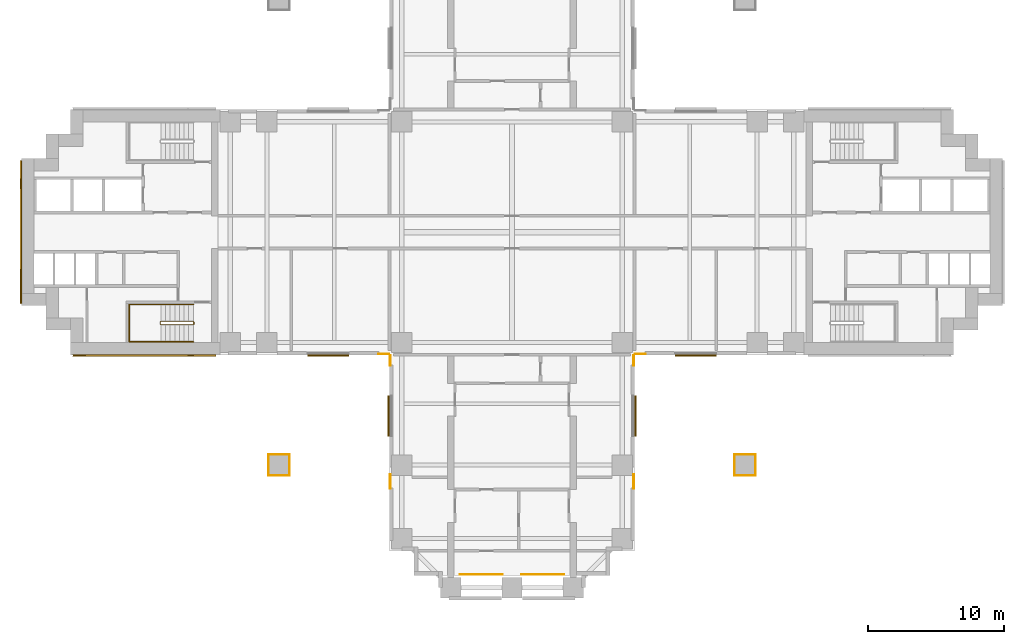
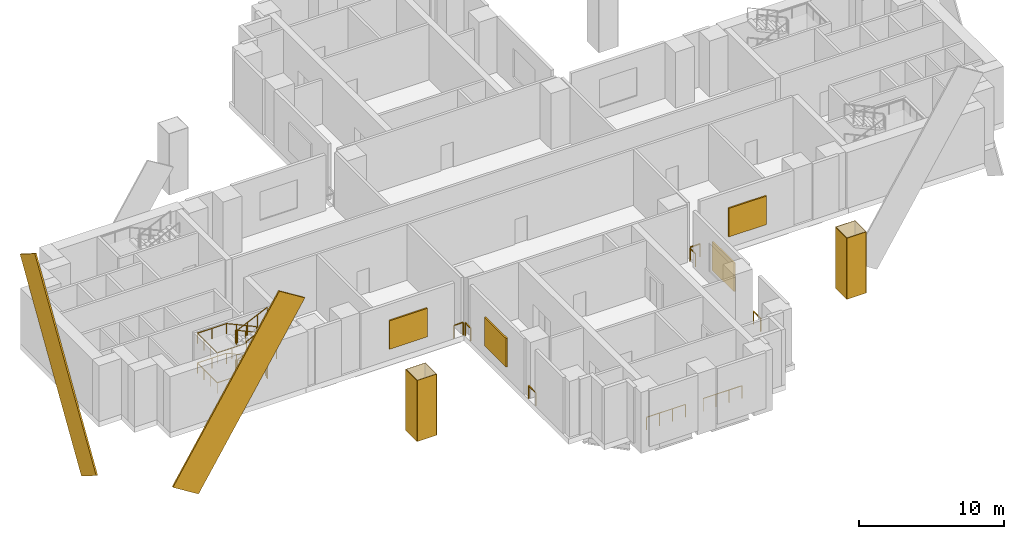
# One storey, part 8 of 10: 11 railings, 10 coverings, 4 shading devices.
"""IFC4 building model written with IfcOpenShell, lengths in metres."""

from ifc_helpers import new_model, si_unit, direction, frame, origin, origin_2d, place, context, subcontext, project, spatial, rectangle, extrude, material, layer, layer_set, material_profile, profile_set, type_object, element, save


model = new_model("IFC4")

# Units and contexts
model_context = context("Model", 3, precision=1e-05, world=origin(), true_north=direction((0.0, 1.0)))
body_context = subcontext(model_context, "Body", "Model", "MODEL_VIEW")
ifc_project = project(units=[si_unit("LENGTHUNIT", "METRE"), si_unit("AREAUNIT", "SQUARE_METRE"), si_unit("VOLUMEUNIT", "CUBIC_METRE"), si_unit("PLANEANGLEUNIT", "RADIAN"), si_unit("MASSUNIT", "GRAM", prefix="KILO")], contexts=[model_context])

# Site, building, storey
site_placement = place(None, origin())
site = spatial("IfcSite", under=ifc_project, at=site_placement, CompositionType="ELEMENT")
building_placement = place(site_placement, origin())
building = spatial("IfcBuilding", under=site, at=building_placement, Name="Perihelion Cross Residences", CompositionType="ELEMENT")
storey_placement = place(building_placement, frame((0.0, 0.0, 27.0)))
storey = spatial("IfcBuildingStorey", under=building, at=storey_placement, Name="L03", CompositionType="ELEMENT", Elevation=27.0)

# Coverings
ifc_material_1 = material(Name="Bronze anodised aluminium", Category="aluminium")
ifc_material_profile = material_profile(ifc_material_1, rectangle(XDim=0.125, YDim=2.39990234375, at=origin_2d()), Name="Bronze cladding band 2400")
ifc_profile_set = profile_set([ifc_material_profile], Name="Bronze anodised aluminium")
covering_type_1 = type_object("IfcCoveringType", Name="Bronze cladding band 2400", PredefinedType="CLADDING", material=ifc_profile_set)
for number, where, z_axis, x_axis, name in (
    (1, (-31.232421875, -9.0625, -5.214111328125), (0.529924750763, 0.0, 0.848044667767), (0.0, 1.0, 0.0), "Core cladding band, west core"),
    (2, (-36.0625, -4.232421875, -5.214111328125), (0.0, 0.529924750763, 0.848044667767), (-1.0, 0.0, 0.0), "Core cladding band, west core"),
):
    element("IfcCovering", number, at=place(storey_placement, frame(where, z_axis=z_axis, x_axis=x_axis)), inside=storey, type_object=covering_type_1, Name=name, PredefinedType="CLADDING", context=body_context, shape_type="SweptSolid", body=[
        extrude(rectangle(XDim=0.125, YDim=2.39990234375, at=origin_2d()), origin(), (0.0, 0.0, 1.0), 15.9736328125),
    ])
ifc_material_2 = material(Name="Bronze anodised aluminium", Category="aluminium")
ifc_layer_1 = layer(ifc_material_2, 0.0400390625)
ifc_layer_set_1 = layer_set([ifc_layer_1], Name="Bronze column casing 40")
covering_type_2 = type_object("IfcCoveringType", Name="Bronze column casing 40", PredefinedType="CLADDING", material=ifc_layer_set_1)
covering_1_placement = place(storey_placement, frame((-17.8701171875, -17.10009765625, -0.449951171875), z_axis=(0.0, 0.0, 1.0), x_axis=(1.0, 0.0, 0.0)))
element("IfcCovering", 3, at=covering_1_placement, inside=storey, type_object=covering_type_2, Name="Cladding CC1 L03 casing east-west no. 1", PredefinedType="CLADDING", context=body_context, shape_type="SweptSolid", body=[
    extrude(rectangle(XDim=0.0400390625, YDim=1.580078125, at=origin_2d()), origin(), (0.0, 0.0, 1.0), 5.14990234375),
])
covering_2_placement = place(storey_placement, frame((-17.10009765625, -17.8701171875, -0.449951171875), z_axis=(0.0, 0.0, 1.0), x_axis=(1.0, 0.0, 0.0)))
element("IfcCovering", 4, at=covering_2_placement, inside=storey, type_object=covering_type_2, Name="Cladding CC1 L03 casing north-south no. 1", PredefinedType="CLADDING", context=body_context, shape_type="SweptSolid", body=[
    extrude(rectangle(XDim=1.5, YDim=0.0400390625, at=origin_2d()), origin(), (0.0, 0.0, 1.0), 5.14990234375),
])
covering_3_placement = place(storey_placement, frame((-16.330078125, -17.10009765625, -0.449951171875), z_axis=(0.0, 0.0, 1.0), x_axis=(1.0, 0.0, 0.0)))
element("IfcCovering", 5, at=covering_3_placement, inside=storey, type_object=covering_type_2, Name="Cladding CC1 L03 casing inner east-west no. 1", PredefinedType="CLADDING", context=body_context, shape_type="SweptSolid", body=[
    extrude(rectangle(XDim=0.0400390625, YDim=1.580078125, at=origin_2d()), origin(), (0.0, 0.0, 1.0), 5.14990234375),
])
covering_4_placement = place(storey_placement, frame((-17.10009765625, -16.330078125, -0.449951171875), z_axis=(0.0, 0.0, 1.0), x_axis=(1.0, 0.0, 0.0)))
element("IfcCovering", 6, at=covering_4_placement, inside=storey, type_object=covering_type_2, Name="Cladding CC1 L03 casing inner north-south no. 1", PredefinedType="CLADDING", context=body_context, shape_type="SweptSolid", body=[
    extrude(rectangle(XDim=1.5, YDim=0.0400390625, at=origin_2d()), origin(), (0.0, 0.0, 1.0), 5.14990234375),
])
covering_5_placement = place(storey_placement, frame((17.8701171875, -17.10009765625, -0.449951171875), z_axis=(0.0, 0.0, 1.0), x_axis=(1.0, 0.0, 0.0)))
element("IfcCovering", 7, at=covering_5_placement, inside=storey, type_object=covering_type_2, Name="Cladding CC1 L03 casing east-west no. 3", PredefinedType="CLADDING", context=body_context, shape_type="SweptSolid", body=[
    extrude(rectangle(XDim=0.0400390625, YDim=1.580078125, at=origin_2d()), origin(), (0.0, 0.0, 1.0), 5.14990234375),
])
covering_6_placement = place(storey_placement, frame((17.10009765625, -17.8701171875, -0.449951171875), z_axis=(0.0, 0.0, 1.0), x_axis=(1.0, 0.0, 0.0)))
element("IfcCovering", 8, at=covering_6_placement, inside=storey, type_object=covering_type_2, Name="Cladding CC1 L03 casing north-south no. 3", PredefinedType="CLADDING", context=body_context, shape_type="SweptSolid", body=[
    extrude(rectangle(XDim=1.5, YDim=0.0400390625, at=origin_2d()), origin(), (0.0, 0.0, 1.0), 5.14990234375),
])
covering_7_placement = place(storey_placement, frame((16.330078125, -17.10009765625, -0.449951171875), z_axis=(0.0, 0.0, 1.0), x_axis=(1.0, 0.0, 0.0)))
element("IfcCovering", 9, at=covering_7_placement, inside=storey, type_object=covering_type_2, Name="Cladding CC1 L03 casing inner east-west no. 3", PredefinedType="CLADDING", context=body_context, shape_type="SweptSolid", body=[
    extrude(rectangle(XDim=0.0400390625, YDim=1.580078125, at=origin_2d()), origin(), (0.0, 0.0, 1.0), 5.14990234375),
])
covering_8_placement = place(storey_placement, frame((17.10009765625, -16.330078125, -0.449951171875), z_axis=(0.0, 0.0, 1.0), x_axis=(1.0, 0.0, 0.0)))
element("IfcCovering", 10, at=covering_8_placement, inside=storey, type_object=covering_type_2, Name="Cladding CC1 L03 casing inner north-south no. 3", PredefinedType="CLADDING", context=body_context, shape_type="SweptSolid", body=[
    extrude(rectangle(XDim=1.5, YDim=0.0400390625, at=origin_2d()), origin(), (0.0, 0.0, 1.0), 5.14990234375),
])

# Shading devices
ifc_material_3 = material(Name="Bronze anodised aluminium", Category="aluminium")
ifc_layer_2 = layer(ifc_material_3, 0.1201171875)
ifc_layer_set_2 = layer_set([ifc_layer_2], Name="Louvre panel")
shading_device_type = type_object("IfcShadingDeviceType", Name="Louvre panel", PredefinedType="USERDEFINED", material=ifc_layer_set_2)
for number, where, z_axis, x_axis, name in (
    (11, (-13.5, -9.06005859375, 1.0), (0.0, 0.0, 1.0), (1.0, 0.0, 0.0), "Louvre LV1 L03 west side south bay 2"),
    (12, (-9.06005859375, -13.5, 1.0), (0.0, 0.0, 1.0), (0.0, -1.0, 0.0), "Louvre LV1 L03 south side west bay 1"),
    (13, (9.06005859375, -13.5, 1.0), (0.0, 0.0, 1.0), (0.0, 1.0, 0.0), "Louvre LV1 L03 south side east bay 2"),
    (14, (13.5, -9.06005859375, 1.0), (0.0, 0.0, 1.0), (1.0, 0.0, 0.0), "Louvre LV1 L03 east side south bay 1"),
):
    element("IfcShadingDevice", number, at=place(storey_placement, frame(where, z_axis=z_axis, x_axis=x_axis)), inside=storey, type_object=shading_device_type, Name=name, ObjectType="LOUVRE", PredefinedType="USERDEFINED", context=body_context, shape_type="SweptSolid", body=[
        extrude(rectangle(XDim=3.0, YDim=0.1201171875, at=origin_2d()), origin(), (0.0, 0.0, 1.0), 2.39990234375),
    ])

# Railings
ifc_material_4 = material(Name="Bronze anodised aluminium", Category="aluminium")
railing_type_1 = type_object("IfcRailingType", Name="Roof guard 1100", PredefinedType="GUARDRAIL", material=ifc_material_4)
railing_1_placement = place(storey_placement, frame((-9.800048828125, -8.93994140625, 0.0)))
element("IfcRailing", 15, at=railing_1_placement, inside=storey, type_object=railing_type_1, Name="Guard GU3 L03 edge 1 1 6", PredefinedType="GUARDRAIL", context=body_context, shape_type="SweptSolid", body=[
    extrude(rectangle(XDim=0.048095703125, YDim=0.048095703125, at=origin_2d()), frame((0.0, 0.0, 1.076171875), z_axis=(1.0, 0.0, 0.0), x_axis=(0.0, 1.0, 0.0)), (0.0, 0.0, 1.0), 0.75),
    extrude(rectangle(XDim=0.0419921875, YDim=0.0419921875, at=origin_2d()), origin(), (0.0, 0.0, 1.0), 1.052001953125),
    extrude(rectangle(XDim=0.0419921875, YDim=0.0419921875, at=origin_2d()), frame((0.75, 0.0, 0.0)), (0.0, 0.0, 1.0), 1.052001953125),
])
railing_2_placement = place(storey_placement, frame((-8.93994140625, -9.050048828125, 0.0)))
element("IfcRailing", 16, at=railing_2_placement, inside=storey, type_object=railing_type_1, Name="Guard GU3 L03 edge 1 1 7", PredefinedType="GUARDRAIL", context=body_context, shape_type="SweptSolid", body=[
    extrude(rectangle(XDim=0.048095703125, YDim=0.048095703125, at=origin_2d()), frame((0.0, 0.0, 1.076171875), z_axis=(0.0, -1.0, 0.0), x_axis=(1.0, 0.0, 0.0)), (0.0, 0.0, 1.0), 0.75),
    extrude(rectangle(XDim=0.0419921875, YDim=0.0419921875, at=origin_2d()), origin(), (0.0, 0.0, 1.0), 1.052001953125),
    extrude(rectangle(XDim=0.0419921875, YDim=0.0419921875, at=origin_2d()), frame((0.0, -0.75, 0.0)), (0.0, 0.0, 1.0), 1.052001953125),
])
railing_3_placement = place(storey_placement, frame((-8.93994140625, -17.800048828125, 0.0)))
element("IfcRailing", 17, at=railing_3_placement, inside=storey, type_object=railing_type_1, Name="Guard GU3 L03 edge 1 1 8", PredefinedType="GUARDRAIL", context=body_context, shape_type="SweptSolid", body=[
    extrude(rectangle(XDim=0.048095703125, YDim=0.048095703125, at=origin_2d()), frame((0.0, 0.0, 1.076171875), z_axis=(0.0, -1.0, 0.0), x_axis=(1.0, 0.0, 0.0)), (0.0, 0.0, 1.0), 1.0),
    extrude(rectangle(XDim=0.0419921875, YDim=0.0419921875, at=origin_2d()), origin(), (0.0, 0.0, 1.0), 1.052001953125),
    extrude(rectangle(XDim=0.0419921875, YDim=0.0419921875, at=origin_2d()), frame((0.0, -1.0, 0.0)), (0.0, 0.0, 1.0), 1.052001953125),
])
for number, where, name in (
    (18, (-3.800048828125, -25.139892578125, 0.0), "Guard GU3 L03 edge 1 1 10"),
    (19, (0.699951171875, -25.139892578125, 0.0), "Guard GU3 L03 edge 1 1 11"),
):
    element("IfcRailing", number, at=place(storey_placement, frame(where)), inside=storey, type_object=railing_type_1, Name=name, PredefinedType="GUARDRAIL", context=body_context, shape_type="SweptSolid", body=[
        extrude(rectangle(XDim=0.048095703125, YDim=0.048095703125, at=origin_2d()), frame((0.0, 0.0, 1.076171875), z_axis=(1.0, 0.0, 0.0), x_axis=(0.0, 1.0, 0.0)), (0.0, 0.0, 1.0), 3.10009765625),
        extrude(rectangle(XDim=0.0419921875, YDim=0.0419921875, at=origin_2d()), origin(), (0.0, 0.0, 1.0), 1.052001953125),
        extrude(rectangle(XDim=0.0419921875, YDim=0.0419921875, at=origin_2d()), frame((1.033447265625, 0.0, 0.0)), (0.0, 0.0, 1.0), 1.052001953125),
        extrude(rectangle(XDim=0.0419921875, YDim=0.0419921875, at=origin_2d()), frame((2.066650390625, 0.0, 0.0)), (0.0, 0.0, 1.0), 1.052001953125),
        extrude(rectangle(XDim=0.0419921875, YDim=0.0419921875, at=origin_2d()), frame((3.10009765625, 0.0, 0.0)), (0.0, 0.0, 1.0), 1.052001953125),
    ])
railing_4_placement = place(storey_placement, frame((8.93994140625, -18.800048828125, 0.0)))
element("IfcRailing", 20, at=railing_4_placement, inside=storey, type_object=railing_type_1, Name="Guard GU3 L03 edge 1 1 13", PredefinedType="GUARDRAIL", context=body_context, shape_type="SweptSolid", body=[
    extrude(rectangle(XDim=0.048095703125, YDim=0.048095703125, at=origin_2d()), frame((0.0, 0.0, 1.076171875), z_axis=(0.0, 1.0, 0.0), x_axis=(-1.0, 0.0, 0.0)), (0.0, 0.0, 1.0), 1.0),
    extrude(rectangle(XDim=0.0419921875, YDim=0.0419921875, at=origin_2d()), origin(), (0.0, 0.0, 1.0), 1.052001953125),
    extrude(rectangle(XDim=0.0419921875, YDim=0.0419921875, at=origin_2d()), frame((0.0, 1.0, 0.0)), (0.0, 0.0, 1.0), 1.052001953125),
])
railing_5_placement = place(storey_placement, frame((8.93994140625, -9.800048828125, 0.0)))
element("IfcRailing", 21, at=railing_5_placement, inside=storey, type_object=railing_type_1, Name="Guard GU3 L03 edge 1 1 14", PredefinedType="GUARDRAIL", context=body_context, shape_type="SweptSolid", body=[
    extrude(rectangle(XDim=0.048095703125, YDim=0.048095703125, at=origin_2d()), frame((0.0, 0.0, 1.076171875), z_axis=(0.0, 1.0, 0.0), x_axis=(-1.0, 0.0, 0.0)), (0.0, 0.0, 1.0), 0.75),
    extrude(rectangle(XDim=0.0419921875, YDim=0.0419921875, at=origin_2d()), origin(), (0.0, 0.0, 1.0), 1.052001953125),
    extrude(rectangle(XDim=0.0419921875, YDim=0.0419921875, at=origin_2d()), frame((0.0, 0.75, 0.0)), (0.0, 0.0, 1.0), 1.052001953125),
])
railing_6_placement = place(storey_placement, frame((9.050048828125, -8.93994140625, 0.0)))
element("IfcRailing", 22, at=railing_6_placement, inside=storey, type_object=railing_type_1, Name="Guard GU3 L03 edge 1 1 15", PredefinedType="GUARDRAIL", context=body_context, shape_type="SweptSolid", body=[
    extrude(rectangle(XDim=0.048095703125, YDim=0.048095703125, at=origin_2d()), frame((0.0, 0.0, 1.076171875), z_axis=(1.0, 0.0, 0.0), x_axis=(0.0, 1.0, 0.0)), (0.0, 0.0, 1.0), 0.75),
    extrude(rectangle(XDim=0.0419921875, YDim=0.0419921875, at=origin_2d()), origin(), (0.0, 0.0, 1.0), 1.052001953125),
    extrude(rectangle(XDim=0.0419921875, YDim=0.0419921875, at=origin_2d()), frame((0.75, 0.0, 0.0)), (0.0, 0.0, 1.0), 1.052001953125),
])
ifc_material_5 = material(Name="Stainless steel", Category="steel")
railing_type_2 = type_object("IfcRailingType", Name="Stair guard 1100", PredefinedType="GUARDRAIL", material=ifc_material_5)
railing_7_placement = place(storey_placement, frame((-23.35009765625, -6.75, 0.0)))
element("IfcRailing", 23, at=railing_7_placement, inside=storey, type_object=railing_type_2, Name="L03 ST-W2 stair guard 1", PredefinedType="GUARDRAIL", context=body_context, shape_type="SweptSolid", body=[
    extrude(rectangle(XDim=0.048095703125, YDim=0.048095703125, at=origin_2d()), frame((0.0, 0.0, 1.076171875), z_axis=(0.0, 1.0, 0.0), x_axis=(-1.0, 0.0, 0.0)), (0.0, 0.0, 1.0), 0.14990234375),
    extrude(rectangle(XDim=0.048095703125, YDim=0.048095703125, at=origin_2d()), frame((0.0, 0.14990234375, 1.076171875), z_axis=(-0.290469530425, 0.291893400672, 0.911276958196), x_axis=(-0.708833529934, -0.705375805398, 0.0)), (0.0, 0.0, 1.0), 0.17138671875),
    extrude(rectangle(XDim=0.048095703125, YDim=0.048095703125, at=origin_2d()), frame((-0.0498046875, 0.199951171875, 1.232421875), z_axis=(-0.908651039524, 0.0, 0.417556329579), x_axis=(0.0, -1.0, 0.0)), (0.0, 0.0, 1.0), 2.619384765625),
    extrude(rectangle(XDim=0.048095703125, YDim=0.048095703125, at=origin_2d()), frame((-2.429931640625, 0.199951171875, 2.326171875), z_axis=(-0.707106781187, -0.707106781187, 0.0), x_axis=(0.707106781187, -0.707106781187, 0.0)), (0.0, 0.0, 1.0), 0.07080078125),
    extrude(rectangle(XDim=0.048095703125, YDim=0.048095703125, at=origin_2d()), frame((-2.47998046875, 0.14990234375, 2.326171875), z_axis=(0.0, -1.0, 0.0), x_axis=(1.0, 0.0, 0.0)), (0.0, 0.0, 1.0), 0.14990234375),
    extrude(rectangle(XDim=0.048095703125, YDim=0.048095703125, at=origin_2d()), frame((-2.47998046875, 0.0, 2.326171875), z_axis=(0.29177245553, -0.29177245553, 0.91089937336), x_axis=(0.707106781187, 0.707106781187, 0.0)), (0.0, 0.0, 1.0), 0.171630859375),
    extrude(rectangle(XDim=0.048095703125, YDim=0.048095703125, at=origin_2d()), frame((-2.429931640625, -0.050048828125, 2.482421875), z_axis=(0.908651039524, 0.0, 0.417556329579), x_axis=(0.0, 1.0, 0.0)), (0.0, 0.0, 1.0), 2.619384765625),
    extrude(rectangle(XDim=0.048095703125, YDim=0.048095703125, at=origin_2d()), frame((-0.0498046875, -0.050048828125, 3.576171875), z_axis=(0.241699205484, 0.970351222016, 0.0), x_axis=(-0.970351222016, 0.241699205484, 0.0)), (0.0, 0.0, 1.0), 0.2060546875),
    extrude(rectangle(XDim=0.048095703125, YDim=0.048095703125, at=origin_2d()), frame((0.0, 0.14990234375, 3.576171875), z_axis=(0.0, -1.0, 0.0), x_axis=(1.0, 0.0, 0.0)), (0.0, 0.0, 1.0), 0.14990234375),
    extrude(rectangle(XDim=0.048095703125, YDim=0.048095703125, at=origin_2d()), frame((0.0, 0.0, 3.576171875), z_axis=(-0.192591976565, 0.773200141208, 0.604210122556), x_axis=(-0.970351222016, -0.241699205484, 0.0)), (0.0, 0.0, 1.0), 0.258544921875),
    extrude(rectangle(XDim=0.048095703125, YDim=0.048095703125, at=origin_2d()), frame((-0.0498046875, 0.199951171875, 3.732421875), z_axis=(-0.908651039524, 0.0, 0.417556329579), x_axis=(0.0, -1.0, 0.0)), (0.0, 0.0, 1.0), 2.619384765625),
    extrude(rectangle(XDim=0.048095703125, YDim=0.048095703125, at=origin_2d()), frame((-2.429931640625, 0.199951171875, 4.826171875), z_axis=(-0.707106781187, -0.707106781187, 0.0), x_axis=(0.707106781187, -0.707106781187, 0.0)), (0.0, 0.0, 1.0), 0.07080078125),
    extrude(rectangle(XDim=0.048095703125, YDim=0.048095703125, at=origin_2d()), frame((-2.47998046875, 0.14990234375, 4.826171875), z_axis=(0.0, -1.0, 0.0), x_axis=(1.0, 0.0, 0.0)), (0.0, 0.0, 1.0), 0.14990234375),
    extrude(rectangle(XDim=0.048095703125, YDim=0.048095703125, at=origin_2d()), frame((-2.47998046875, 0.0, 4.826171875), z_axis=(0.29177245553, -0.29177245553, 0.91089937336), x_axis=(0.707106781187, 0.707106781187, 0.0)), (0.0, 0.0, 1.0), 0.171630859375),
    extrude(rectangle(XDim=0.048095703125, YDim=0.048095703125, at=origin_2d()), frame((-2.429931640625, -0.050048828125, 4.982421875), z_axis=(0.908651039524, 0.0, 0.417556329579), x_axis=(0.0, 1.0, 0.0)), (0.0, 0.0, 1.0), 2.619384765625),
    extrude(rectangle(XDim=0.0419921875, YDim=0.0419921875, at=origin_2d()), origin(), (0.0, 0.0, 1.0), 1.052001953125),
    extrude(rectangle(XDim=0.0419921875, YDim=0.0419921875, at=origin_2d()), frame((0.0, 0.14990234375, 0.0)), (0.0, 0.0, 1.0), 1.052001953125),
    extrude(rectangle(XDim=0.0419921875, YDim=0.0419921875, at=origin_2d()), frame((-0.0498046875, 0.199951171875, 0.15625)), (0.0, 0.0, 1.0), 1.052001953125),
    extrude(rectangle(XDim=0.0419921875, YDim=0.0419921875, at=origin_2d()), frame((-0.84326171875, 0.199951171875, 0.520751953125)), (0.0, 0.0, 1.0), 1.052001953125),
    extrude(rectangle(XDim=0.0419921875, YDim=0.0419921875, at=origin_2d()), frame((-1.636474609375, 0.199951171875, 0.885498046875)), (0.0, 0.0, 1.0), 1.052001953125),
    extrude(rectangle(XDim=0.0419921875, YDim=0.0419921875, at=origin_2d()), frame((-2.429931640625, 0.199951171875, 1.25)), (0.0, 0.0, 1.0), 1.052001953125),
    extrude(rectangle(XDim=0.0419921875, YDim=0.0419921875, at=origin_2d()), frame((-2.47998046875, 0.14990234375, 1.25)), (0.0, 0.0, 1.0), 1.052001953125),
    extrude(rectangle(XDim=0.0419921875, YDim=0.0419921875, at=origin_2d()), frame((-2.47998046875, 0.0, 1.25)), (0.0, 0.0, 1.0), 1.052001953125),
    extrude(rectangle(XDim=0.0419921875, YDim=0.0419921875, at=origin_2d()), frame((-2.429931640625, -0.050048828125, 1.40625)), (0.0, 0.0, 1.0), 1.052001953125),
    extrude(rectangle(XDim=0.0419921875, YDim=0.0419921875, at=origin_2d()), frame((-1.636474609375, -0.050048828125, 1.770751953125)), (0.0, 0.0, 1.0), 1.052001953125),
    extrude(rectangle(XDim=0.0419921875, YDim=0.0419921875, at=origin_2d()), frame((-0.84326171875, -0.050048828125, 2.135498046875)), (0.0, 0.0, 1.0), 1.052001953125),
    extrude(rectangle(XDim=0.0419921875, YDim=0.0419921875, at=origin_2d()), frame((-0.0498046875, -0.050048828125, 2.5)), (0.0, 0.0, 1.0), 1.052001953125),
    extrude(rectangle(XDim=0.0419921875, YDim=0.0419921875, at=origin_2d()), frame((0.0, 0.14990234375, 2.5)), (0.0, 0.0, 1.0), 1.052001953125),
    extrude(rectangle(XDim=0.0419921875, YDim=0.0419921875, at=origin_2d()), frame((0.0, 0.0, 2.5)), (0.0, 0.0, 1.0), 1.052001953125),
    extrude(rectangle(XDim=0.0419921875, YDim=0.0419921875, at=origin_2d()), frame((-0.0498046875, 0.199951171875, 2.65625)), (0.0, 0.0, 1.0), 1.052001953125),
    extrude(rectangle(XDim=0.0419921875, YDim=0.0419921875, at=origin_2d()), frame((-0.84326171875, 0.199951171875, 3.020751953125)), (0.0, 0.0, 1.0), 1.052001953125),
    extrude(rectangle(XDim=0.0419921875, YDim=0.0419921875, at=origin_2d()), frame((-1.636474609375, 0.199951171875, 3.385498046875)), (0.0, 0.0, 1.0), 1.052001953125),
    extrude(rectangle(XDim=0.0419921875, YDim=0.0419921875, at=origin_2d()), frame((-2.429931640625, 0.199951171875, 3.75)), (0.0, 0.0, 1.0), 1.052001953125),
    extrude(rectangle(XDim=0.0419921875, YDim=0.0419921875, at=origin_2d()), frame((-2.47998046875, 0.14990234375, 3.75)), (0.0, 0.0, 1.0), 1.052001953125),
    extrude(rectangle(XDim=0.0419921875, YDim=0.0419921875, at=origin_2d()), frame((-2.47998046875, 0.0, 3.75)), (0.0, 0.0, 1.0), 1.052001953125),
    extrude(rectangle(XDim=0.0419921875, YDim=0.0419921875, at=origin_2d()), frame((-2.429931640625, -0.050048828125, 3.90625)), (0.0, 0.0, 1.0), 1.052001953125),
    extrude(rectangle(XDim=0.0419921875, YDim=0.0419921875, at=origin_2d()), frame((-1.636474609375, -0.050048828125, 4.270751953125)), (0.0, 0.0, 1.0), 1.052001953125),
    extrude(rectangle(XDim=0.0419921875, YDim=0.0419921875, at=origin_2d()), frame((-0.84326171875, -0.050048828125, 4.635498046875)), (0.0, 0.0, 1.0), 1.052001953125),
    extrude(rectangle(XDim=0.0419921875, YDim=0.0419921875, at=origin_2d()), frame((-0.0498046875, -0.050048828125, 5.0)), (0.0, 0.0, 1.0), 1.052001953125),
])
ifc_material_6 = material(Name="Stainless steel", Category="steel")
railing_type_3 = type_object("IfcRailingType", Name="Stair handrail 900", PredefinedType="HANDRAIL", material=ifc_material_6)
railing_8_placement = place(storey_placement, frame((-23.39990234375, -5.300048828125, 0.15625)))
element("IfcRailing", 24, at=railing_8_placement, inside=storey, type_object=railing_type_3, Name="L03 ST-W2 stair handrail 1", PredefinedType="HANDRAIL", context=body_context, shape_type="SweptSolid", body=[
    extrude(rectangle(XDim=0.048095703125, YDim=0.048095703125, at=origin_2d()), frame((0.0, 0.0, 0.8759765625), z_axis=(-0.908651039524, 0.0, 0.417556329579), x_axis=(0.0, -1.0, 0.0)), (0.0, 0.0, 1.0), 2.619384765625),
    extrude(rectangle(XDim=0.048095703125, YDim=0.048095703125, at=origin_2d()), frame((-2.380126953125, 0.0, 1.9697265625), z_axis=(-1.0, 0.0, 0.0), x_axis=(0.0, -1.0, 0.0)), (0.0, 0.0, 1.0), 2.320068359375),
    extrude(rectangle(XDim=0.048095703125, YDim=0.048095703125, at=origin_2d()), frame((-4.7001953125, 0.0, 1.9697265625), z_axis=(0.0, -1.0, 0.0), x_axis=(1.0, 0.0, 0.0)), (0.0, 0.0, 1.0), 2.75),
    extrude(rectangle(XDim=0.048095703125, YDim=0.048095703125, at=origin_2d()), frame((-4.7001953125, -2.75, 1.9697265625), z_axis=(1.0, 0.0, 0.0), x_axis=(0.0, 1.0, 0.0)), (0.0, 0.0, 1.0), 2.320068359375),
    extrude(rectangle(XDim=0.048095703125, YDim=0.048095703125, at=origin_2d()), frame((-2.380126953125, -2.75, 1.9697265625), z_axis=(0.0, 0.0, 1.0), x_axis=(1.0, 0.0, 0.0)), (0.0, 0.0, 1.0), 0.15625),
    extrude(rectangle(XDim=0.048095703125, YDim=0.048095703125, at=origin_2d()), frame((-2.380126953125, -2.75, 2.1259765625), z_axis=(0.908651039524, 0.0, 0.417556329579), x_axis=(0.0, 1.0, 0.0)), (0.0, 0.0, 1.0), 2.619384765625),
    extrude(rectangle(XDim=0.0419921875, YDim=0.0419921875, at=origin_2d()), origin(), (0.0, 0.0, 1.0), 0.851806640625),
    extrude(rectangle(XDim=0.0419921875, YDim=0.0419921875, at=origin_2d()), frame((-0.79345703125, 0.0, 0.364501953125)), (0.0, 0.0, 1.0), 0.851806640625),
    extrude(rectangle(XDim=0.0419921875, YDim=0.0419921875, at=origin_2d()), frame((-1.586669921875, 0.0, 0.729248046875)), (0.0, 0.0, 1.0), 0.851806640625),
    extrude(rectangle(XDim=0.0419921875, YDim=0.0419921875, at=origin_2d()), frame((-2.380126953125, 0.0, 1.09375)), (0.0, 0.0, 1.0), 0.851806640625),
    extrude(rectangle(XDim=0.0419921875, YDim=0.0419921875, at=origin_2d()), frame((-3.5400390625, 0.0, 1.09375)), (0.0, 0.0, 1.0), 0.851806640625),
    extrude(rectangle(XDim=0.0419921875, YDim=0.0419921875, at=origin_2d()), frame((-4.7001953125, 0.0, 1.09375)), (0.0, 0.0, 1.0), 0.851806640625),
    extrude(rectangle(XDim=0.0419921875, YDim=0.0419921875, at=origin_2d()), frame((-4.7001953125, -0.916748046875, 1.09375)), (0.0, 0.0, 1.0), 0.851806640625),
    extrude(rectangle(XDim=0.0419921875, YDim=0.0419921875, at=origin_2d()), frame((-4.7001953125, -1.833251953125, 1.09375)), (0.0, 0.0, 1.0), 0.851806640625),
    extrude(rectangle(XDim=0.0419921875, YDim=0.0419921875, at=origin_2d()), frame((-4.7001953125, -2.75, 1.09375)), (0.0, 0.0, 1.0), 0.851806640625),
    extrude(rectangle(XDim=0.0419921875, YDim=0.0419921875, at=origin_2d()), frame((-3.5400390625, -2.75, 1.09375)), (0.0, 0.0, 1.0), 0.851806640625),
    extrude(rectangle(XDim=0.0419921875, YDim=0.0419921875, at=origin_2d()), frame((-2.380126953125, -2.75, 1.09375)), (0.0, 0.0, 1.0), 0.851806640625),
    extrude(rectangle(XDim=0.0419921875, YDim=0.0419921875, at=origin_2d()), frame((-2.380126953125, -2.75, 1.25)), (0.0, 0.0, 1.0), 0.851806640625),
    extrude(rectangle(XDim=0.0419921875, YDim=0.0419921875, at=origin_2d()), frame((-1.586669921875, -2.75, 1.614501953125)), (0.0, 0.0, 1.0), 0.851806640625),
    extrude(rectangle(XDim=0.0419921875, YDim=0.0419921875, at=origin_2d()), frame((-0.79345703125, -2.75, 1.979248046875)), (0.0, 0.0, 1.0), 0.851806640625),
    extrude(rectangle(XDim=0.0419921875, YDim=0.0419921875, at=origin_2d()), frame((0.0, -2.75, 2.34375)), (0.0, 0.0, 1.0), 0.851806640625),
])
railing_9_placement = place(storey_placement, frame((-23.39990234375, -5.300048828125, 2.65625)))
element("IfcRailing", 25, at=railing_9_placement, inside=storey, type_object=railing_type_3, Name="L03 ST-W2 stair handrail 2", PredefinedType="HANDRAIL", context=body_context, shape_type="SweptSolid", body=[
    extrude(rectangle(XDim=0.048095703125, YDim=0.048095703125, at=origin_2d()), frame((0.0, 0.0, 0.8759765625), z_axis=(-0.908651039524, 0.0, 0.417556329579), x_axis=(0.0, -1.0, 0.0)), (0.0, 0.0, 1.0), 2.619384765625),
    extrude(rectangle(XDim=0.048095703125, YDim=0.048095703125, at=origin_2d()), frame((-2.380126953125, 0.0, 1.9697265625), z_axis=(-1.0, 0.0, 0.0), x_axis=(0.0, -1.0, 0.0)), (0.0, 0.0, 1.0), 2.320068359375),
    extrude(rectangle(XDim=0.048095703125, YDim=0.048095703125, at=origin_2d()), frame((-4.7001953125, 0.0, 1.9697265625), z_axis=(0.0, -1.0, 0.0), x_axis=(1.0, 0.0, 0.0)), (0.0, 0.0, 1.0), 2.75),
    extrude(rectangle(XDim=0.048095703125, YDim=0.048095703125, at=origin_2d()), frame((-4.7001953125, -2.75, 1.9697265625), z_axis=(1.0, 0.0, 0.0), x_axis=(0.0, 1.0, 0.0)), (0.0, 0.0, 1.0), 2.320068359375),
    extrude(rectangle(XDim=0.048095703125, YDim=0.048095703125, at=origin_2d()), frame((-2.380126953125, -2.75, 1.9697265625), z_axis=(0.0, 0.0, 1.0), x_axis=(1.0, 0.0, 0.0)), (0.0, 0.0, 1.0), 0.15625),
    extrude(rectangle(XDim=0.048095703125, YDim=0.048095703125, at=origin_2d()), frame((-2.380126953125, -2.75, 2.1259765625), z_axis=(0.908651039524, 0.0, 0.417556329579), x_axis=(0.0, 1.0, 0.0)), (0.0, 0.0, 1.0), 2.619384765625),
    extrude(rectangle(XDim=0.0419921875, YDim=0.0419921875, at=origin_2d()), origin(), (0.0, 0.0, 1.0), 0.851806640625),
    extrude(rectangle(XDim=0.0419921875, YDim=0.0419921875, at=origin_2d()), frame((-0.79345703125, 0.0, 0.364501953125)), (0.0, 0.0, 1.0), 0.851806640625),
    extrude(rectangle(XDim=0.0419921875, YDim=0.0419921875, at=origin_2d()), frame((-1.586669921875, 0.0, 0.729248046875)), (0.0, 0.0, 1.0), 0.851806640625),
    extrude(rectangle(XDim=0.0419921875, YDim=0.0419921875, at=origin_2d()), frame((-2.380126953125, 0.0, 1.09375)), (0.0, 0.0, 1.0), 0.851806640625),
    extrude(rectangle(XDim=0.0419921875, YDim=0.0419921875, at=origin_2d()), frame((-3.5400390625, 0.0, 1.09375)), (0.0, 0.0, 1.0), 0.851806640625),
    extrude(rectangle(XDim=0.0419921875, YDim=0.0419921875, at=origin_2d()), frame((-4.7001953125, 0.0, 1.09375)), (0.0, 0.0, 1.0), 0.851806640625),
    extrude(rectangle(XDim=0.0419921875, YDim=0.0419921875, at=origin_2d()), frame((-4.7001953125, -0.916748046875, 1.09375)), (0.0, 0.0, 1.0), 0.851806640625),
    extrude(rectangle(XDim=0.0419921875, YDim=0.0419921875, at=origin_2d()), frame((-4.7001953125, -1.833251953125, 1.09375)), (0.0, 0.0, 1.0), 0.851806640625),
    extrude(rectangle(XDim=0.0419921875, YDim=0.0419921875, at=origin_2d()), frame((-4.7001953125, -2.75, 1.09375)), (0.0, 0.0, 1.0), 0.851806640625),
    extrude(rectangle(XDim=0.0419921875, YDim=0.0419921875, at=origin_2d()), frame((-3.5400390625, -2.75, 1.09375)), (0.0, 0.0, 1.0), 0.851806640625),
    extrude(rectangle(XDim=0.0419921875, YDim=0.0419921875, at=origin_2d()), frame((-2.380126953125, -2.75, 1.09375)), (0.0, 0.0, 1.0), 0.851806640625),
    extrude(rectangle(XDim=0.0419921875, YDim=0.0419921875, at=origin_2d()), frame((-2.380126953125, -2.75, 1.25)), (0.0, 0.0, 1.0), 0.851806640625),
    extrude(rectangle(XDim=0.0419921875, YDim=0.0419921875, at=origin_2d()), frame((-1.586669921875, -2.75, 1.614501953125)), (0.0, 0.0, 1.0), 0.851806640625),
    extrude(rectangle(XDim=0.0419921875, YDim=0.0419921875, at=origin_2d()), frame((-0.79345703125, -2.75, 1.979248046875)), (0.0, 0.0, 1.0), 0.851806640625),
    extrude(rectangle(XDim=0.0419921875, YDim=0.0419921875, at=origin_2d()), frame((0.0, -2.75, 2.34375)), (0.0, 0.0, 1.0), 0.851806640625),
])

save(model, "model.ifc")
